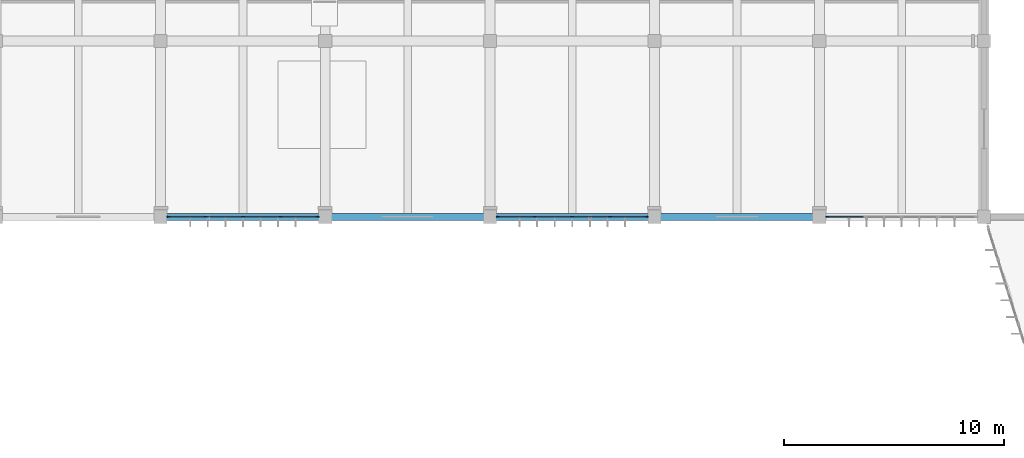
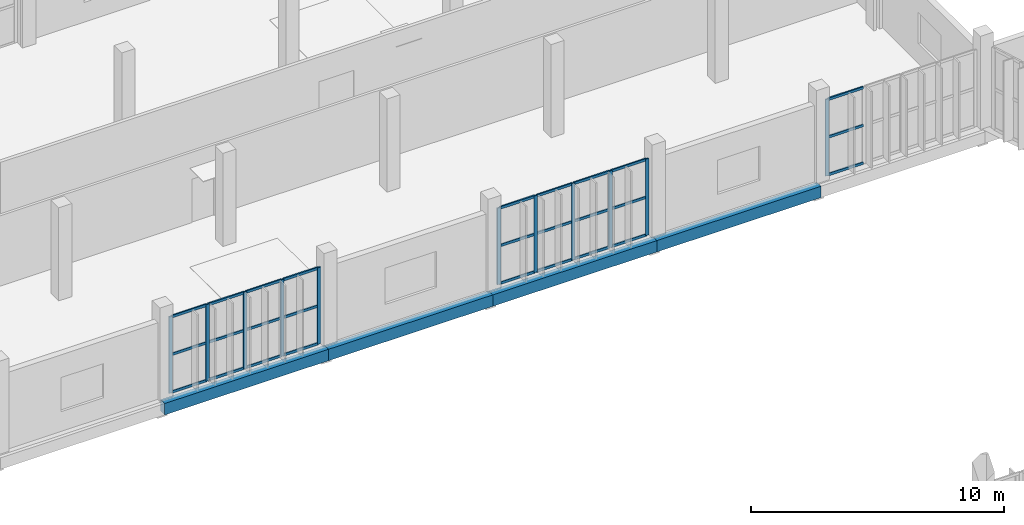
# One storey, part 22 of 81: 38 members, 4 beams, 3 elements without a shape of their own.
"""IFC4 building model written with IfcOpenShell, lengths in metres."""

from ifc_helpers import new_model, si_unit, direction, frame, origin, origin_2d, place, context, subcontext, project, spatial, rectangle, extrude, material, material_profile, profile_set, type_object, element, aggregate, save


model = new_model("IFC4")

# Units and contexts
model_context = context("Model", 3, precision=1e-05, world=origin(), true_north=direction((0.0, 1.0)))
body_context = subcontext(model_context, "Body", "Model", "MODEL_VIEW")
ifc_project = project(units=[si_unit("LENGTHUNIT", "METRE"), si_unit("AREAUNIT", "SQUARE_METRE"), si_unit("VOLUMEUNIT", "CUBIC_METRE"), si_unit("PLANEANGLEUNIT", "RADIAN"), si_unit("MASSUNIT", "GRAM", prefix="KILO")], contexts=[model_context])

# Site, building, storey
site_placement = place(None, origin())
site = spatial("IfcSite", under=ifc_project, at=site_placement, CompositionType="ELEMENT")
building_placement = place(site_placement, origin())
building = spatial("IfcBuilding", under=site, at=building_placement, Name="Vourika Railside Aquatics Centre", CompositionType="ELEMENT")
storey_placement = place(building_placement, frame((0.0, 0.0, 4.800048828125)))
storey = spatial("IfcBuildingStorey", under=building, at=storey_placement, Name="L01", CompositionType="ELEMENT", Elevation=4.800048828125)

# Beams
ifc_material_1 = material(Name="Concrete C35/45", Category="concrete")
ifc_material_profile_1 = material_profile(ifc_material_1, rectangle(XDim=0.320068359375, YDim=0.550048828125, at=origin_2d()), Name="RC 320x550")
ifc_profile_set_1 = profile_set([ifc_material_profile_1], Name="Concrete C35/45")
beam_type = type_object("IfcBeamType", Name="BM-SPAN-320x550", PredefinedType="SPANDREL", material=ifc_profile_set_1)
for number, where, z_axis, x_axis, name in (
    (1, (96.0, 92.0, -0.574951171875), (1.0, 0.0, 0.0), (0.0, 1.0, 0.0), "Floor Beam GX-L01-115"),
    (2, (103.5, 92.0, -0.574951171875), (1.0, 0.0, 0.0), (0.0, 1.0, 0.0), "Floor Beam GX-L01-116"),
    (3, (111.0, 92.0, -0.574951171875), (1.0, 0.0, 0.0), (0.0, 1.0, 0.0), "Floor Beam GX-L01-117"),
    (4, (118.5, 92.0, -0.574951171875), (1.0, 0.0, 0.0), (0.0, 1.0, 0.0), "Floor Beam GX-L01-118"),
):
    element("IfcBeam", number, at=place(storey_placement, frame(where, z_axis=z_axis, x_axis=x_axis)), inside=storey, type_object=beam_type, Name=name, PredefinedType="SPANDREL", context=body_context, shape_type="SweptSolid", body=[
        extrude(rectangle(XDim=0.320068359375, YDim=0.550048828125, at=origin_2d()), origin(), (0.0, 0.0, 1.0), 7.5),
    ])

# Curtain wall, members
ifc_material_2 = material(Name="Anodized thermally broken aluminium", Category="aluminium")
curtain_wall_type = type_object("IfcCurtainWallType", Name="CW-FIT1", PredefinedType="NOTDEFINED", material=ifc_material_2)
curtain_wall_1_placement = place(storey_placement, origin())
curtain_wall_1 = element("IfcCurtainWall", 5, at=curtain_wall_1_placement, inside=storey, type_object=curtain_wall_type, Name="Courtyard Fitness Curtain Wall L01-9", PredefinedType="NOTDEFINED")
ifc_material_3 = material(Name="Anodized aluminium mullion", Category="aluminium")
ifc_material_profile_2 = material_profile(ifc_material_3, rectangle(XDim=0.06201171875, YDim=0.156005859375, at=origin_2d()), Name="ALU-M 62x156")
ifc_profile_set_2 = profile_set([ifc_material_profile_2], Name="Anodized aluminium mullion")
member_type_1 = type_object("IfcMemberType", Name="CWM-FIT1", PredefinedType="MULLION", material=ifc_profile_set_2)
member_1_placement = place(storey_placement, frame((96.361083984375, 92.0, 0.0), z_axis=(0.0, 0.0, 1.0), x_axis=(0.0, 1.0, 0.0)))
member_1 = element("IfcMember", 6, at=member_1_placement, type_object=member_type_1, Name="CW15 mullion 1", PredefinedType="MULLION", context=body_context, shape_type="SweptSolid", body=[
    extrude(rectangle(XDim=0.06201171875, YDim=0.156005859375, at=origin_2d()), origin(), (0.0, 0.0, 1.0), 3.699951171875),
])
member_2_placement = place(storey_placement, frame((98.0400390625, 92.0, 0.0), z_axis=(0.0, 0.0, 1.0), x_axis=(0.0, 1.0, 0.0)))
member_2 = element("IfcMember", 7, at=member_2_placement, type_object=member_type_1, Name="CW15 mullion 2", PredefinedType="MULLION", context=body_context, shape_type="SweptSolid", body=[
    extrude(rectangle(XDim=0.06201171875, YDim=0.156005859375, at=origin_2d()), origin(), (0.0, 0.0, 1.0), 3.699951171875),
])
member_3_placement = place(storey_placement, frame((99.75, 92.0, 0.0), z_axis=(0.0, 0.0, 1.0), x_axis=(0.0, 1.0, 0.0)))
member_3 = element("IfcMember", 8, at=member_3_placement, type_object=member_type_1, Name="CW15 mullion 3", PredefinedType="MULLION", context=body_context, shape_type="SweptSolid", body=[
    extrude(rectangle(XDim=0.06201171875, YDim=0.156005859375, at=origin_2d()), origin(), (0.0, 0.0, 1.0), 3.699951171875),
])
member_4_placement = place(storey_placement, frame((101.4599609375, 92.0, 0.0), z_axis=(0.0, 0.0, 1.0), x_axis=(0.0, 1.0, 0.0)))
member_4 = element("IfcMember", 9, at=member_4_placement, type_object=member_type_1, Name="CW15 mullion 4", PredefinedType="MULLION", context=body_context, shape_type="SweptSolid", body=[
    extrude(rectangle(XDim=0.06201171875, YDim=0.156005859375, at=origin_2d()), origin(), (0.0, 0.0, 1.0), 3.699951171875),
])
member_5_placement = place(storey_placement, frame((103.138916015625, 92.0, 0.0), z_axis=(0.0, 0.0, 1.0), x_axis=(0.0, 1.0, 0.0)))
member_5 = element("IfcMember", 10, at=member_5_placement, type_object=member_type_1, Name="CW15 mullion 5", PredefinedType="MULLION", context=body_context, shape_type="SweptSolid", body=[
    extrude(rectangle(XDim=0.06201171875, YDim=0.156005859375, at=origin_2d()), origin(), (0.0, 0.0, 1.0), 3.699951171875),
])

curtain_wall_2_placement = place(storey_placement, origin())
curtain_wall_2 = element("IfcCurtainWall", 11, at=curtain_wall_2_placement, inside=storey, type_object=curtain_wall_type, Name="Courtyard Fitness Curtain Wall L01-11", PredefinedType="NOTDEFINED")
member_6_placement = place(storey_placement, frame((111.361083984375, 92.0, 0.0), z_axis=(0.0, 0.0, 1.0), x_axis=(0.0, 1.0, 0.0)))
member_6 = element("IfcMember", 12, at=member_6_placement, type_object=member_type_1, Name="CW15 mullion 1", PredefinedType="MULLION", context=body_context, shape_type="SweptSolid", body=[
    extrude(rectangle(XDim=0.06201171875, YDim=0.156005859375, at=origin_2d()), origin(), (0.0, 0.0, 1.0), 3.699951171875),
])
member_7_placement = place(storey_placement, frame((113.0400390625, 92.0, 0.0), z_axis=(0.0, 0.0, 1.0), x_axis=(0.0, 1.0, 0.0)))
member_7 = element("IfcMember", 13, at=member_7_placement, type_object=member_type_1, Name="CW15 mullion 2", PredefinedType="MULLION", context=body_context, shape_type="SweptSolid", body=[
    extrude(rectangle(XDim=0.06201171875, YDim=0.156005859375, at=origin_2d()), origin(), (0.0, 0.0, 1.0), 3.699951171875),
])
member_8_placement = place(storey_placement, frame((114.75, 92.0, 0.0), z_axis=(0.0, 0.0, 1.0), x_axis=(0.0, 1.0, 0.0)))
member_8 = element("IfcMember", 14, at=member_8_placement, type_object=member_type_1, Name="CW15 mullion 3", PredefinedType="MULLION", context=body_context, shape_type="SweptSolid", body=[
    extrude(rectangle(XDim=0.06201171875, YDim=0.156005859375, at=origin_2d()), origin(), (0.0, 0.0, 1.0), 3.699951171875),
])
member_9_placement = place(storey_placement, frame((116.4599609375, 92.0, 0.0), z_axis=(0.0, 0.0, 1.0), x_axis=(0.0, 1.0, 0.0)))
member_9 = element("IfcMember", 15, at=member_9_placement, type_object=member_type_1, Name="CW15 mullion 4", PredefinedType="MULLION", context=body_context, shape_type="SweptSolid", body=[
    extrude(rectangle(XDim=0.06201171875, YDim=0.156005859375, at=origin_2d()), origin(), (0.0, 0.0, 1.0), 3.699951171875),
])
member_10_placement = place(storey_placement, frame((118.138916015625, 92.0, 0.0), z_axis=(0.0, 0.0, 1.0), x_axis=(0.0, 1.0, 0.0)))
member_10 = element("IfcMember", 16, at=member_10_placement, type_object=member_type_1, Name="CW15 mullion 5", PredefinedType="MULLION", context=body_context, shape_type="SweptSolid", body=[
    extrude(rectangle(XDim=0.06201171875, YDim=0.156005859375, at=origin_2d()), origin(), (0.0, 0.0, 1.0), 3.699951171875),
])

# Curtain wall, member
curtain_wall_3_placement = place(storey_placement, origin())
curtain_wall_3 = element("IfcCurtainWall", 17, at=curtain_wall_3_placement, inside=storey, type_object=curtain_wall_type, Name="Courtyard Fitness Curtain Wall L01-13", PredefinedType="NOTDEFINED")
member_11_placement = place(storey_placement, frame((126.361083984375, 92.0, 0.0), z_axis=(0.0, 0.0, 1.0), x_axis=(0.0, 1.0, 0.0)))
member_11 = element("IfcMember", 18, at=member_11_placement, type_object=member_type_1, Name="CW15 mullion 1", PredefinedType="MULLION", context=body_context, shape_type="SweptSolid", body=[
    extrude(rectangle(XDim=0.06201171875, YDim=0.156005859375, at=origin_2d()), origin(), (0.0, 0.0, 1.0), 3.699951171875),
])

# Member
ifc_material_4 = material(Name="Anodized aluminium transom", Category="aluminium")
ifc_material_profile_3 = material_profile(ifc_material_4, rectangle(XDim=0.06201171875, YDim=0.1220703125, at=origin_2d()), Name="ALU-T 62x122")
ifc_profile_set_3 = profile_set([ifc_material_profile_3], Name="Anodized aluminium transom")
member_type_2 = type_object("IfcMemberType", Name="CWT-FIT1", PredefinedType="USERDEFINED", material=ifc_profile_set_3)
member_12_placement = place(storey_placement, frame((96.39208984375, 92.0, 0.031005859375), z_axis=(1.0, 0.0, 0.0), x_axis=(0.0, 1.0, 0.0)))
member_12 = element("IfcMember", 19, at=member_12_placement, type_object=member_type_2, Name="CW15 transom 1.1", ObjectType="TRANSOM", PredefinedType="USERDEFINED", context=body_context, shape_type="SweptSolid", body=[
    extrude(rectangle(XDim=0.06201171875, YDim=0.1220703125, at=origin_2d()), origin(), (0.0, 0.0, 1.0), 1.616943359375),
])

member_13_placement = place(storey_placement, frame((96.39208984375, 92.0, 1.849853515625), z_axis=(1.0, 0.0, 0.0), x_axis=(0.0, 1.0, 0.0)))
member_13 = element("IfcMember", 20, at=member_13_placement, type_object=member_type_2, Name="CW15 transom 1.2", ObjectType="TRANSOM", PredefinedType="USERDEFINED", context=body_context, shape_type="SweptSolid", body=[
    extrude(rectangle(XDim=0.06201171875, YDim=0.1220703125, at=origin_2d()), origin(), (0.0, 0.0, 1.0), 1.616943359375),
])

member_14_placement = place(storey_placement, frame((96.39208984375, 92.0, 3.6689453125), z_axis=(1.0, 0.0, 0.0), x_axis=(0.0, 1.0, 0.0)))
member_14 = element("IfcMember", 21, at=member_14_placement, type_object=member_type_2, Name="CW15 transom 1.3", ObjectType="TRANSOM", PredefinedType="USERDEFINED", context=body_context, shape_type="SweptSolid", body=[
    extrude(rectangle(XDim=0.06201171875, YDim=0.1220703125, at=origin_2d()), origin(), (0.0, 0.0, 1.0), 1.616943359375),
])

member_15_placement = place(storey_placement, frame((98.071044921875, 92.0, 0.031005859375), z_axis=(1.0, 0.0, 0.0), x_axis=(0.0, 1.0, 0.0)))
member_15 = element("IfcMember", 22, at=member_15_placement, type_object=member_type_2, Name="CW15 transom 2.1", ObjectType="TRANSOM", PredefinedType="USERDEFINED", context=body_context, shape_type="SweptSolid", body=[
    extrude(rectangle(XDim=0.06201171875, YDim=0.1220703125, at=origin_2d()), origin(), (0.0, 0.0, 1.0), 1.64794921875),
])

member_16_placement = place(storey_placement, frame((98.071044921875, 92.0, 1.849853515625), z_axis=(1.0, 0.0, 0.0), x_axis=(0.0, 1.0, 0.0)))
member_16 = element("IfcMember", 23, at=member_16_placement, type_object=member_type_2, Name="CW15 transom 2.2", ObjectType="TRANSOM", PredefinedType="USERDEFINED", context=body_context, shape_type="SweptSolid", body=[
    extrude(rectangle(XDim=0.06201171875, YDim=0.1220703125, at=origin_2d()), origin(), (0.0, 0.0, 1.0), 1.64794921875),
])

member_17_placement = place(storey_placement, frame((98.071044921875, 92.0, 3.6689453125), z_axis=(1.0, 0.0, 0.0), x_axis=(0.0, 1.0, 0.0)))
member_17 = element("IfcMember", 24, at=member_17_placement, type_object=member_type_2, Name="CW15 transom 2.3", ObjectType="TRANSOM", PredefinedType="USERDEFINED", context=body_context, shape_type="SweptSolid", body=[
    extrude(rectangle(XDim=0.06201171875, YDim=0.1220703125, at=origin_2d()), origin(), (0.0, 0.0, 1.0), 1.64794921875),
])

member_18_placement = place(storey_placement, frame((99.781005859375, 92.0, 0.031005859375), z_axis=(1.0, 0.0, 0.0), x_axis=(0.0, 1.0, 0.0)))
member_18 = element("IfcMember", 25, at=member_18_placement, type_object=member_type_2, Name="CW15 transom 3.1", ObjectType="TRANSOM", PredefinedType="USERDEFINED", context=body_context, shape_type="SweptSolid", body=[
    extrude(rectangle(XDim=0.06201171875, YDim=0.1220703125, at=origin_2d()), origin(), (0.0, 0.0, 1.0), 1.64794921875),
])

member_19_placement = place(storey_placement, frame((99.781005859375, 92.0, 1.849853515625), z_axis=(1.0, 0.0, 0.0), x_axis=(0.0, 1.0, 0.0)))
member_19 = element("IfcMember", 26, at=member_19_placement, type_object=member_type_2, Name="CW15 transom 3.2", ObjectType="TRANSOM", PredefinedType="USERDEFINED", context=body_context, shape_type="SweptSolid", body=[
    extrude(rectangle(XDim=0.06201171875, YDim=0.1220703125, at=origin_2d()), origin(), (0.0, 0.0, 1.0), 1.64794921875),
])

member_20_placement = place(storey_placement, frame((99.781005859375, 92.0, 3.6689453125), z_axis=(1.0, 0.0, 0.0), x_axis=(0.0, 1.0, 0.0)))
member_20 = element("IfcMember", 27, at=member_20_placement, type_object=member_type_2, Name="CW15 transom 3.3", ObjectType="TRANSOM", PredefinedType="USERDEFINED", context=body_context, shape_type="SweptSolid", body=[
    extrude(rectangle(XDim=0.06201171875, YDim=0.1220703125, at=origin_2d()), origin(), (0.0, 0.0, 1.0), 1.64794921875),
])

member_21_placement = place(storey_placement, frame((101.490966796875, 92.0, 0.031005859375), z_axis=(1.0, 0.0, 0.0), x_axis=(0.0, 1.0, 0.0)))
member_21 = element("IfcMember", 28, at=member_21_placement, type_object=member_type_2, Name="CW15 transom 4.1", ObjectType="TRANSOM", PredefinedType="USERDEFINED", context=body_context, shape_type="SweptSolid", body=[
    extrude(rectangle(XDim=0.06201171875, YDim=0.1220703125, at=origin_2d()), origin(), (0.0, 0.0, 1.0), 1.616943359375),
])

member_22_placement = place(storey_placement, frame((101.490966796875, 92.0, 1.849853515625), z_axis=(1.0, 0.0, 0.0), x_axis=(0.0, 1.0, 0.0)))
member_22 = element("IfcMember", 29, at=member_22_placement, type_object=member_type_2, Name="CW15 transom 4.2", ObjectType="TRANSOM", PredefinedType="USERDEFINED", context=body_context, shape_type="SweptSolid", body=[
    extrude(rectangle(XDim=0.06201171875, YDim=0.1220703125, at=origin_2d()), origin(), (0.0, 0.0, 1.0), 1.616943359375),
])

member_23_placement = place(storey_placement, frame((101.490966796875, 92.0, 3.6689453125), z_axis=(1.0, 0.0, 0.0), x_axis=(0.0, 1.0, 0.0)))
member_23 = element("IfcMember", 30, at=member_23_placement, type_object=member_type_2, Name="CW15 transom 4.3", ObjectType="TRANSOM", PredefinedType="USERDEFINED", context=body_context, shape_type="SweptSolid", body=[
    extrude(rectangle(XDim=0.06201171875, YDim=0.1220703125, at=origin_2d()), origin(), (0.0, 0.0, 1.0), 1.616943359375),
])

aggregate(curtain_wall_1, [member_1, member_2, member_3, member_4, member_5, member_12, member_13, member_14, member_15, member_16, member_17, member_18, member_19, member_20, member_21, member_22, member_23])

member_24_placement = place(storey_placement, frame((111.39208984375, 92.0, 0.031005859375), z_axis=(1.0, 0.0, 0.0), x_axis=(0.0, 1.0, 0.0)))
member_24 = element("IfcMember", 31, at=member_24_placement, type_object=member_type_2, Name="CW15 transom 1.1", ObjectType="TRANSOM", PredefinedType="USERDEFINED", context=body_context, shape_type="SweptSolid", body=[
    extrude(rectangle(XDim=0.06201171875, YDim=0.1220703125, at=origin_2d()), origin(), (0.0, 0.0, 1.0), 1.616943359375),
])

member_25_placement = place(storey_placement, frame((111.39208984375, 92.0, 1.849853515625), z_axis=(1.0, 0.0, 0.0), x_axis=(0.0, 1.0, 0.0)))
member_25 = element("IfcMember", 32, at=member_25_placement, type_object=member_type_2, Name="CW15 transom 1.2", ObjectType="TRANSOM", PredefinedType="USERDEFINED", context=body_context, shape_type="SweptSolid", body=[
    extrude(rectangle(XDim=0.06201171875, YDim=0.1220703125, at=origin_2d()), origin(), (0.0, 0.0, 1.0), 1.616943359375),
])

member_26_placement = place(storey_placement, frame((111.39208984375, 92.0, 3.6689453125), z_axis=(1.0, 0.0, 0.0), x_axis=(0.0, 1.0, 0.0)))
member_26 = element("IfcMember", 33, at=member_26_placement, type_object=member_type_2, Name="CW15 transom 1.3", ObjectType="TRANSOM", PredefinedType="USERDEFINED", context=body_context, shape_type="SweptSolid", body=[
    extrude(rectangle(XDim=0.06201171875, YDim=0.1220703125, at=origin_2d()), origin(), (0.0, 0.0, 1.0), 1.616943359375),
])

member_27_placement = place(storey_placement, frame((113.071044921875, 92.0, 0.031005859375), z_axis=(1.0, 0.0, 0.0), x_axis=(0.0, 1.0, 0.0)))
member_27 = element("IfcMember", 34, at=member_27_placement, type_object=member_type_2, Name="CW15 transom 2.1", ObjectType="TRANSOM", PredefinedType="USERDEFINED", context=body_context, shape_type="SweptSolid", body=[
    extrude(rectangle(XDim=0.06201171875, YDim=0.1220703125, at=origin_2d()), origin(), (0.0, 0.0, 1.0), 1.64794921875),
])

member_28_placement = place(storey_placement, frame((113.071044921875, 92.0, 1.849853515625), z_axis=(1.0, 0.0, 0.0), x_axis=(0.0, 1.0, 0.0)))
member_28 = element("IfcMember", 35, at=member_28_placement, type_object=member_type_2, Name="CW15 transom 2.2", ObjectType="TRANSOM", PredefinedType="USERDEFINED", context=body_context, shape_type="SweptSolid", body=[
    extrude(rectangle(XDim=0.06201171875, YDim=0.1220703125, at=origin_2d()), origin(), (0.0, 0.0, 1.0), 1.64794921875),
])

member_29_placement = place(storey_placement, frame((113.071044921875, 92.0, 3.6689453125), z_axis=(1.0, 0.0, 0.0), x_axis=(0.0, 1.0, 0.0)))
member_29 = element("IfcMember", 36, at=member_29_placement, type_object=member_type_2, Name="CW15 transom 2.3", ObjectType="TRANSOM", PredefinedType="USERDEFINED", context=body_context, shape_type="SweptSolid", body=[
    extrude(rectangle(XDim=0.06201171875, YDim=0.1220703125, at=origin_2d()), origin(), (0.0, 0.0, 1.0), 1.64794921875),
])

member_30_placement = place(storey_placement, frame((114.781005859375, 92.0, 0.031005859375), z_axis=(1.0, 0.0, 0.0), x_axis=(0.0, 1.0, 0.0)))
member_30 = element("IfcMember", 37, at=member_30_placement, type_object=member_type_2, Name="CW15 transom 3.1", ObjectType="TRANSOM", PredefinedType="USERDEFINED", context=body_context, shape_type="SweptSolid", body=[
    extrude(rectangle(XDim=0.06201171875, YDim=0.1220703125, at=origin_2d()), origin(), (0.0, 0.0, 1.0), 1.64794921875),
])

member_31_placement = place(storey_placement, frame((114.781005859375, 92.0, 1.849853515625), z_axis=(1.0, 0.0, 0.0), x_axis=(0.0, 1.0, 0.0)))
member_31 = element("IfcMember", 38, at=member_31_placement, type_object=member_type_2, Name="CW15 transom 3.2", ObjectType="TRANSOM", PredefinedType="USERDEFINED", context=body_context, shape_type="SweptSolid", body=[
    extrude(rectangle(XDim=0.06201171875, YDim=0.1220703125, at=origin_2d()), origin(), (0.0, 0.0, 1.0), 1.64794921875),
])

member_32_placement = place(storey_placement, frame((114.781005859375, 92.0, 3.6689453125), z_axis=(1.0, 0.0, 0.0), x_axis=(0.0, 1.0, 0.0)))
member_32 = element("IfcMember", 39, at=member_32_placement, type_object=member_type_2, Name="CW15 transom 3.3", ObjectType="TRANSOM", PredefinedType="USERDEFINED", context=body_context, shape_type="SweptSolid", body=[
    extrude(rectangle(XDim=0.06201171875, YDim=0.1220703125, at=origin_2d()), origin(), (0.0, 0.0, 1.0), 1.64794921875),
])

member_33_placement = place(storey_placement, frame((116.490966796875, 92.0, 0.031005859375), z_axis=(1.0, 0.0, 0.0), x_axis=(0.0, 1.0, 0.0)))
member_33 = element("IfcMember", 40, at=member_33_placement, type_object=member_type_2, Name="CW15 transom 4.1", ObjectType="TRANSOM", PredefinedType="USERDEFINED", context=body_context, shape_type="SweptSolid", body=[
    extrude(rectangle(XDim=0.06201171875, YDim=0.1220703125, at=origin_2d()), origin(), (0.0, 0.0, 1.0), 1.616943359375),
])

member_34_placement = place(storey_placement, frame((116.490966796875, 92.0, 1.849853515625), z_axis=(1.0, 0.0, 0.0), x_axis=(0.0, 1.0, 0.0)))
member_34 = element("IfcMember", 41, at=member_34_placement, type_object=member_type_2, Name="CW15 transom 4.2", ObjectType="TRANSOM", PredefinedType="USERDEFINED", context=body_context, shape_type="SweptSolid", body=[
    extrude(rectangle(XDim=0.06201171875, YDim=0.1220703125, at=origin_2d()), origin(), (0.0, 0.0, 1.0), 1.616943359375),
])

member_35_placement = place(storey_placement, frame((116.490966796875, 92.0, 3.6689453125), z_axis=(1.0, 0.0, 0.0), x_axis=(0.0, 1.0, 0.0)))
member_35 = element("IfcMember", 42, at=member_35_placement, type_object=member_type_2, Name="CW15 transom 4.3", ObjectType="TRANSOM", PredefinedType="USERDEFINED", context=body_context, shape_type="SweptSolid", body=[
    extrude(rectangle(XDim=0.06201171875, YDim=0.1220703125, at=origin_2d()), origin(), (0.0, 0.0, 1.0), 1.616943359375),
])

aggregate(curtain_wall_2, [member_6, member_7, member_8, member_9, member_10, member_24, member_25, member_26, member_27, member_28, member_29, member_30, member_31, member_32, member_33, member_34, member_35])

member_36_placement = place(storey_placement, frame((126.39208984375, 92.0, 0.031005859375), z_axis=(1.0, 0.0, 0.0), x_axis=(0.0, 1.0, 0.0)))
member_36 = element("IfcMember", 43, at=member_36_placement, type_object=member_type_2, Name="CW15 transom 1.1", ObjectType="TRANSOM", PredefinedType="USERDEFINED", context=body_context, shape_type="SweptSolid", body=[
    extrude(rectangle(XDim=0.06201171875, YDim=0.1220703125, at=origin_2d()), origin(), (0.0, 0.0, 1.0), 1.616943359375),
])

member_37_placement = place(storey_placement, frame((126.39208984375, 92.0, 1.849853515625), z_axis=(1.0, 0.0, 0.0), x_axis=(0.0, 1.0, 0.0)))
member_37 = element("IfcMember", 44, at=member_37_placement, type_object=member_type_2, Name="CW15 transom 1.2", ObjectType="TRANSOM", PredefinedType="USERDEFINED", context=body_context, shape_type="SweptSolid", body=[
    extrude(rectangle(XDim=0.06201171875, YDim=0.1220703125, at=origin_2d()), origin(), (0.0, 0.0, 1.0), 1.616943359375),
])

member_38_placement = place(storey_placement, frame((126.39208984375, 92.0, 3.6689453125), z_axis=(1.0, 0.0, 0.0), x_axis=(0.0, 1.0, 0.0)))
member_38 = element("IfcMember", 45, at=member_38_placement, type_object=member_type_2, Name="CW15 transom 1.3", ObjectType="TRANSOM", PredefinedType="USERDEFINED", context=body_context, shape_type="SweptSolid", body=[
    extrude(rectangle(XDim=0.06201171875, YDim=0.1220703125, at=origin_2d()), origin(), (0.0, 0.0, 1.0), 1.616943359375),
])

aggregate(curtain_wall_3, [member_11, member_36, member_37, member_38])

save(model, "model.ifc")
